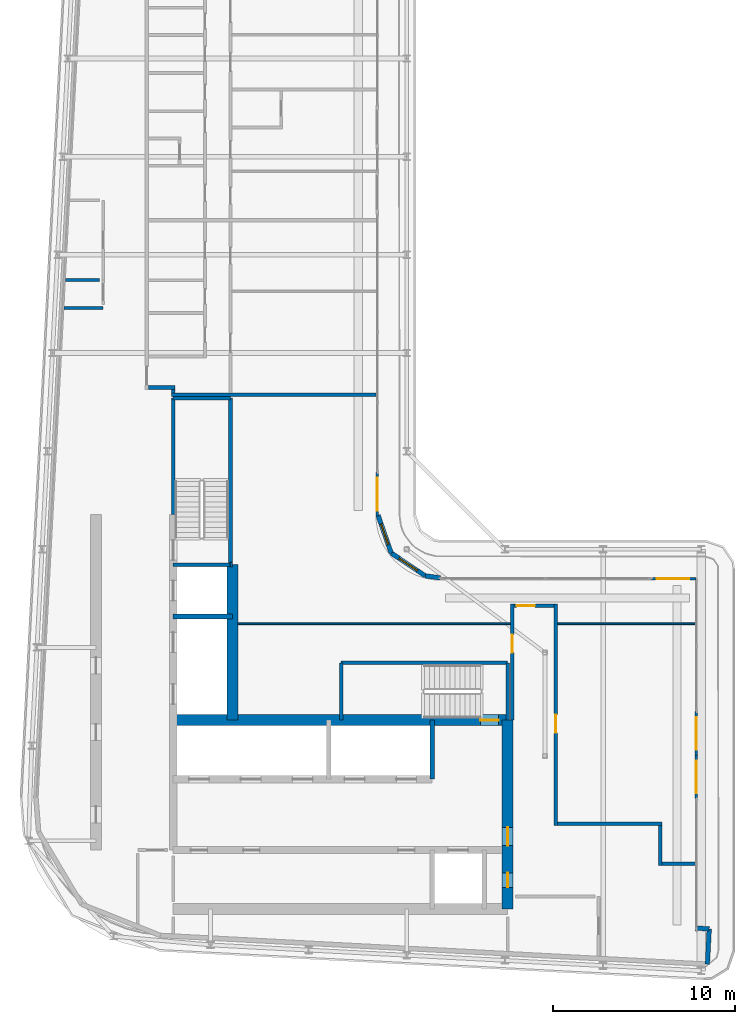
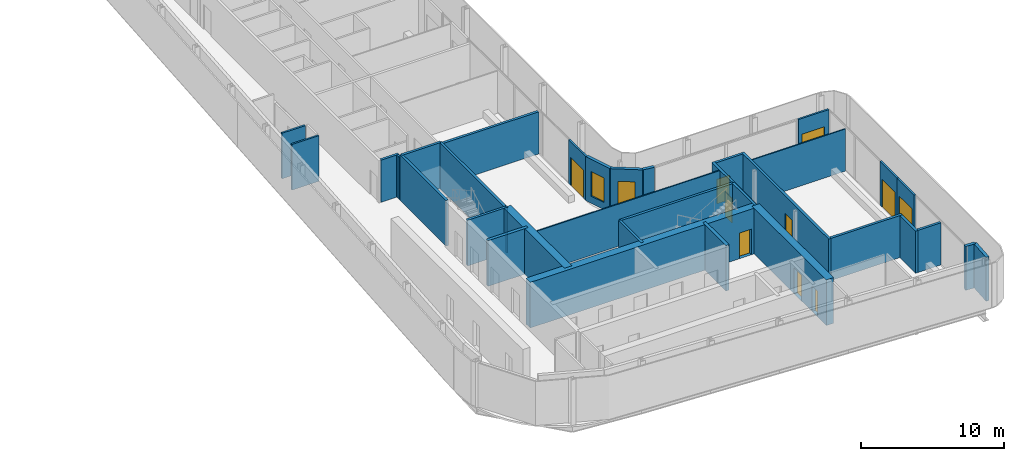
# One storey, part 12 of 21: 35 walls, 10 doors, 2 windows, 12 openings.
"""IFC4 building model written with IfcOpenShell, lengths in metres."""

from ifc_helpers import new_model, si_unit, direction, frame, frame_2d, origin, place, context, subcontext, project, spatial, rectangle, extrude, source, transform, mapped, material, layer, layer_set, type_object, element, fill, save


model = new_model("IFC4")

# Units and contexts
model_context = context("Model", 3, precision=1e-05, world=origin(), true_north=direction((0.0, 1.0)))
body_context = subcontext(model_context, "Body", "Model", "MODEL_VIEW")
ifc_project = project(units=[si_unit("LENGTHUNIT", "METRE"), si_unit("AREAUNIT", "SQUARE_METRE"), si_unit("VOLUMEUNIT", "CUBIC_METRE"), si_unit("PLANEANGLEUNIT", "RADIAN"), si_unit("MASSUNIT", "GRAM", prefix="KILO")], contexts=[model_context])

# Site, building, storey
site_placement = place(None, origin())
site = spatial("IfcSite", under=ifc_project, at=site_placement, CompositionType="ELEMENT")
building_placement = place(site_placement, origin())
building = spatial("IfcBuilding", under=site, at=building_placement, Name="Kheshtan School and Residences Tower", CompositionType="ELEMENT")
storey_placement = place(building_placement, frame((0.0, 0.0, 278.60009765625)))
storey = spatial("IfcBuildingStorey", under=building, at=storey_placement, Name="L65", CompositionType="ELEMENT", Elevation=278.60009765625)

# Wall, opening, door
ifc_material_1 = material(Name="Concrete C60/75", Category="concrete")
ifc_layer_1 = layer(ifc_material_1, 0.60009765625)
ifc_layer_set_1 = layer_set([ifc_layer_1], Name="Core wall 600 Concrete C60/75")
wall_type_1 = type_object("IfcWallType", Name="Core wall 600 Concrete C60/75", PredefinedType="SHEAR", material=ifc_layer_set_1)
wall_1_placement = place(storey_placement, frame((34.75, 36.199951171875, 0.0), z_axis=(0.0, 0.0, 1.0), x_axis=(1.0, 0.0, 0.0)))
wall_1 = element("IfcWall", 1, at=wall_1_placement, inside=storey, type_object=wall_type_1, Name="Core wall CW-FRONT-S", PredefinedType="SHEAR", context=body_context, shape_type="SweptSolid", body=[
    extrude(rectangle(XDim=18.39990234375, YDim=0.60009765625, at=frame_2d((9.199951171875, 0.0))), origin(), (0.0, 0.0, 1.0), 3.89990234375),
])
opening_1_placement = place(wall_1_placement, frame((16.89990234375, 0.0, 0.0)))
opening_1 = element("IfcOpeningElement", 2, at=opening_1_placement, cuts=wall_1, Name="Opening ST1D", PredefinedType="OPENING", context=body_context, shape_type="SweptSolid", body=[
    extrude(rectangle(XDim=1.0, YDim=2.199951171875, at=frame_2d((0.5, 1.10009765625))), frame((0.0, 0.31005859375, 0.0), z_axis=(0.0, -1.0, 0.0), x_axis=(1.0, 0.0, 0.0)), (0.0, 0.0, 1.0), 0.6201171875),
])
ifc_material_2 = material(Name="Steel door leaf, galvanised", Category="steel")
door_type_1 = type_object("IfcDoorType", Name="Stair door 1100 steel 90 min", OperationType="SINGLE_SWING_LEFT", PredefinedType="DOOR", material=ifc_material_2)
shared_shape_1 = source(origin(), body_context, "Body", "SweptSolid", [
    extrude(rectangle(XDim=1.0, YDim=2.199951171875, at=frame_2d((0.5, 1.10009765625))), frame((0.0, 0.02490234375, 0.0), z_axis=(0.0, -1.0, 0.0), x_axis=(1.0, 0.0, 0.0)), (0.0, 0.0, 1.0), 0.050048828125),
])
door_1_placement = place(opening_1_placement, origin())
door_1 = element("IfcDoor", 3, at=door_1_placement, inside=storey, type_object=door_type_1, Name="Stair ST1 door", OperationType="SINGLE_SWING_RIGHT", OverallHeight=2.199951171875, OverallWidth=1.0, PredefinedType="DOOR", context=body_context, shape_type="MappedRepresentation", body=[
    mapped(shared_shape_1, transform((0.0, 0.0, 0.0), x_axis=(1.0, 0.0, 0.0), y_axis=(0.0, 1.0, 0.0), z_axis=(0.0, 0.0, 1.0), scale=1.0)),
])
fill(opening_1, door_1)

# Wall
wall_2_placement = place(storey_placement, frame((38.0, 36.199951171875, 0.0), z_axis=(0.0, 0.0, 1.0), x_axis=(0.0, 1.0, 0.0)))
element("IfcWall", 4, at=wall_2_placement, inside=storey, type_object=wall_type_1, Name="Core wall CW-FRONT-W", PredefinedType="SHEAR", context=body_context, shape_type="SweptSolid", body=[
    extrude(rectangle(XDim=8.550048828125, YDim=0.60009765625, at=frame_2d((4.27490234375, 0.0))), origin(), (0.0, 0.0, 1.0), 3.89990234375),
])

# Wall, openings, doors
wall_3_placement = place(storey_placement, frame((53.14990234375, 25.800048828125, 0.0), z_axis=(0.0, 0.0, 1.0), x_axis=(0.0, 1.0, 0.0)))
wall_3 = element("IfcWall", 5, at=wall_3_placement, inside=storey, type_object=wall_type_1, Name="Core wall CW-EAST", PredefinedType="SHEAR", context=body_context, shape_type="SweptSolid", body=[
    extrude(rectangle(XDim=10.39990234375, YDim=0.60009765625, at=frame_2d((5.199951171875, 0.0))), origin(), (0.0, 0.0, 1.0), 3.89990234375),
])
opening_2_placement = place(wall_3_placement, frame((1.197021484375, 0.0, 0.0)))
opening_2 = element("IfcOpeningElement", 6, at=opening_2_placement, cuts=wall_3, Name="Opening SR80", PredefinedType="OPENING", context=body_context, shape_type="SweptSolid", body=[
    extrude(rectangle(XDim=0.800048828125, YDim=2.199951171875, at=frame_2d((0.39990234375, 1.10009765625))), frame((0.0, 0.31005859375, 0.0), z_axis=(0.0, -1.0, 0.0), x_axis=(1.0, 0.0, 0.0)), (0.0, 0.0, 1.0), 0.6201171875),
])
opening_3_placement = place(wall_3_placement, frame((3.5, 0.0, 0.0)))
opening_3 = element("IfcOpeningElement", 7, at=opening_3_placement, cuts=wall_3, Name="Opening SD91", PredefinedType="OPENING", context=body_context, shape_type="SweptSolid", body=[
    extrude(rectangle(XDim=1.0, YDim=2.199951171875, at=frame_2d((0.5, 1.10009765625))), frame((0.0, 0.31005859375, 0.0), z_axis=(0.0, -1.0, 0.0), x_axis=(1.0, 0.0, 0.0)), (0.0, 0.0, 1.0), 0.6201171875),
])
door_type_2 = type_object("IfcDoorType", Name="Service room door 800 steel 90 min", OperationType="SINGLE_SWING_LEFT", PredefinedType="DOOR", material=ifc_material_2)
shared_shape_2 = source(origin(), body_context, "Body", "SweptSolid", [
    extrude(rectangle(XDim=0.800048828125, YDim=2.199951171875, at=frame_2d((0.39990234375, 1.10009765625))), frame((0.0, 0.02490234375, 0.0), z_axis=(0.0, -1.0, 0.0), x_axis=(1.0, 0.0, 0.0)), (0.0, 0.0, 1.0), 0.050048828125),
])
door_2_placement = place(opening_2_placement, origin())
door_2 = element("IfcDoor", 8, at=door_2_placement, inside=storey, type_object=door_type_2, Name="Service room door", OperationType="SINGLE_SWING_LEFT", OverallHeight=2.199951171875, OverallWidth=0.800048828125, PredefinedType="DOOR", context=body_context, shape_type="MappedRepresentation", body=[
    mapped(shared_shape_2, transform((0.0, 0.0, 0.0), x_axis=(1.0, 0.0, 0.0), y_axis=(0.0, 1.0, 0.0), z_axis=(0.0, 0.0, 1.0), scale=1.0)),
])
fill(opening_2, door_2)
door_type_3 = type_object("IfcDoorType", Name="Firefighting lobby door 1000 steel 90 min", OperationType="SINGLE_SWING_LEFT", PredefinedType="DOOR", material=ifc_material_2)
shared_shape_3 = source(origin(), body_context, "Body", "SweptSolid", [
    extrude(rectangle(XDim=1.0, YDim=2.199951171875, at=frame_2d((0.5, 1.10009765625))), frame((0.0, 0.02490234375, 0.0), z_axis=(0.0, -1.0, 0.0), x_axis=(1.0, 0.0, 0.0)), (0.0, 0.0, 1.0), 0.050048828125),
])
door_3_placement = place(opening_3_placement, origin())
door_3 = element("IfcDoor", 9, at=door_3_placement, inside=storey, type_object=door_type_3, Name="Firefighting lobby door", OperationType="SINGLE_SWING_LEFT", OverallHeight=2.199951171875, OverallWidth=1.0, PredefinedType="DOOR", context=body_context, shape_type="MappedRepresentation", body=[
    mapped(shared_shape_3, transform((0.0, 0.0, 0.0), x_axis=(1.0, 0.0, 0.0), y_axis=(0.0, 1.0, 0.0), z_axis=(0.0, 0.0, 1.0), scale=1.0)),
])
fill(opening_3, door_3)

# Walls
ifc_material_3 = material(Name="Gypsum board on steel studs with fire boards", Category="steel")
ifc_layer_2 = layer(ifc_material_3, 0.199951171875)
ifc_layer_set_2 = layer_set([ifc_layer_2], Name="Corridor wall 200")
wall_type_2 = type_object("IfcWallType", Name="Corridor wall 200", PredefinedType="PARTITIONING", material=ifc_layer_set_2)
wall_4_placement = place(storey_placement, frame((33.39990234375, 54.5, 0.0), z_axis=(0.0, 0.0, 1.0), x_axis=(1.0, 0.0, 0.0)))
element("IfcWall", 10, at=wall_4_placement, inside=storey, type_object=wall_type_2, Name="Partition L65-005", PredefinedType="PARTITIONING", context=body_context, shape_type="SweptSolid", body=[
    extrude(rectangle(XDim=1.4501953125, YDim=0.199951171875, at=frame_2d((0.72509765625, 0.0))), origin(), (0.0, 0.0, 1.0), 3.599853515625),
])
wall_5_placement = place(storey_placement, frame((34.75, 54.199951171875, 0.0), z_axis=(0.0, 0.0, 1.0), x_axis=(0.0, 1.0, 0.0)))
element("IfcWall", 11, at=wall_5_placement, inside=storey, type_object=wall_type_2, Name="Partition L65-021", PredefinedType="PARTITIONING", context=body_context, shape_type="SweptSolid", body=[
    extrude(rectangle(XDim=0.199951171875, YDim=0.199951171875, at=frame_2d((0.10009765625, 0.0))), origin(), (0.0, 0.0, 1.0), 3.599853515625),
])

# Wall, opening, door
wall_6_placement = place(storey_placement, frame((53.39990234375, 36.198974609375, 0.0), z_axis=(0.0, 0.0, 1.0), x_axis=(0.0, 1.0, 0.0)))
wall_6 = element("IfcWall", 12, at=wall_6_placement, inside=storey, type_object=wall_type_2, Name="Partition L65-043", PredefinedType="PARTITIONING", context=body_context, shape_type="SweptSolid", body=[
    extrude(rectangle(XDim=6.401123046875, YDim=0.199951171875, at=frame_2d((3.20068359375, 0.0))), origin(), (0.0, 0.0, 1.0), 3.599853515625),
])
opening_4_placement = place(wall_6_placement, frame((3.708984375, 0.0, 0.0)))
opening_4 = element("IfcOpeningElement", 13, at=opening_4_placement, cuts=wall_6, Name="Opening D64-032", PredefinedType="OPENING", context=body_context, shape_type="SweptSolid", body=[
    extrude(rectangle(XDim=1.0, YDim=2.10009765625, at=frame_2d((0.5, 1.050048828125))), frame((0.0, 0.10986328125, 0.0), z_axis=(0.0, -1.0, 0.0), x_axis=(1.0, 0.0, 0.0)), (0.0, 0.0, 1.0), 0.219970703125),
])
ifc_material_4 = material(Name="Steel-framed fire-resisting door leaf", Category="steel")
door_type_4 = type_object("IfcDoorType", Name="Fire door FD60 1000 x 2100", OperationType="SINGLE_SWING_LEFT", PredefinedType="DOOR", material=ifc_material_4)
shared_shape_4 = source(origin(), body_context, "Body", "SweptSolid", [
    extrude(rectangle(XDim=1.0, YDim=2.10009765625, at=frame_2d((0.5, 1.050048828125))), frame((0.0, 0.02490234375, 0.0), z_axis=(0.0, -1.0, 0.0), x_axis=(1.0, 0.0, 0.0)), (0.0, 0.0, 1.0), 0.050048828125),
])
door_4_placement = place(opening_4_placement, origin())
door_4 = element("IfcDoor", 14, at=door_4_placement, inside=storey, type_object=door_type_4, Name="Door D64-032", OperationType="SINGLE_SWING_LEFT", OverallHeight=2.10009765625, OverallWidth=1.0, PredefinedType="DOOR", context=body_context, shape_type="MappedRepresentation", body=[
    mapped(shared_shape_4, transform((0.0, 0.0, 0.0), x_axis=(1.0, 0.0, 0.0), y_axis=(0.0, 1.0, 0.0), z_axis=(0.0, 0.0, 1.0), scale=1.0)),
])
fill(opening_4, door_4)

wall_7_placement = place(storey_placement, frame((53.5, 42.5, 0.0), z_axis=(0.0, 0.0, 1.0), x_axis=(1.0, 0.0, 0.0)))
wall_7 = element("IfcWall", 15, at=wall_7_placement, inside=storey, type_object=wall_type_2, Name="Partition L65-044", PredefinedType="PARTITIONING", context=body_context, shape_type="SweptSolid", body=[
    extrude(rectangle(XDim=2.199951171875, YDim=0.199951171875, at=frame_2d((1.10009765625, 0.0))), origin(), (0.0, 0.0, 1.0), 3.599853515625),
])
opening_5_placement = place(wall_7_placement, frame((0.14990234375, 0.0, 0.0)))
opening_5 = element("IfcOpeningElement", 16, at=opening_5_placement, cuts=wall_7, Name="Opening D64-033", PredefinedType="OPENING", context=body_context, shape_type="SweptSolid", body=[
    extrude(rectangle(XDim=1.0, YDim=2.10009765625, at=frame_2d((0.5, 1.050048828125))), frame((0.0, 0.10986328125, 0.0), z_axis=(0.0, -1.0, 0.0), x_axis=(1.0, 0.0, 0.0)), (0.0, 0.0, 1.0), 0.219970703125),
])
door_5_placement = place(opening_5_placement, origin())
door_5 = element("IfcDoor", 17, at=door_5_placement, inside=storey, type_object=door_type_4, Name="Door D64-033", OperationType="SINGLE_SWING_RIGHT", OverallHeight=2.10009765625, OverallWidth=1.0, PredefinedType="DOOR", context=body_context, shape_type="MappedRepresentation", body=[
    mapped(shared_shape_4, transform((0.0, 0.0, 0.0), x_axis=(1.0, 0.0, 0.0), y_axis=(0.0, 1.0, 0.0), z_axis=(0.0, 0.0, 1.0), scale=1.0)),
])
fill(opening_5, door_5)

wall_8_placement = place(storey_placement, frame((55.800048828125, 30.39990234375, 0.0), z_axis=(0.0, 0.0, 1.0), x_axis=(0.0, 1.0, 0.0)))
wall_8 = element("IfcWall", 18, at=wall_8_placement, inside=storey, type_object=wall_type_2, Name="Partition L65-045", PredefinedType="PARTITIONING", context=body_context, shape_type="SweptSolid", body=[
    extrude(rectangle(XDim=12.2001953125, YDim=0.199951171875, at=frame_2d((6.10009765625, 0.0))), origin(), (0.0, 0.0, 1.0), 3.599853515625),
])
opening_6_placement = place(wall_8_placement, frame((5.10009765625, 0.0, 0.0)))
opening_6 = element("IfcOpeningElement", 19, at=opening_6_placement, cuts=wall_8, Name="Opening D64-031", PredefinedType="OPENING", context=body_context, shape_type="SweptSolid", body=[
    extrude(rectangle(XDim=1.0, YDim=2.10009765625, at=frame_2d((0.5, 1.050048828125))), frame((0.0, 0.10986328125, 0.0), z_axis=(0.0, -1.0, 0.0), x_axis=(1.0, 0.0, 0.0)), (0.0, 0.0, 1.0), 0.219970703125),
])
door_6_placement = place(opening_6_placement, origin())
door_6 = element("IfcDoor", 20, at=door_6_placement, inside=storey, type_object=door_type_4, Name="Door D64-031", OperationType="SINGLE_SWING_RIGHT", OverallHeight=2.10009765625, OverallWidth=1.0, PredefinedType="DOOR", context=body_context, shape_type="MappedRepresentation", body=[
    mapped(shared_shape_4, transform((0.0, 0.0, 0.0), x_axis=(1.0, 0.0, 0.0), y_axis=(0.0, 1.0, 0.0), z_axis=(0.0, 0.0, 1.0), scale=1.0)),
])
fill(opening_6, door_6)

# Walls
wall_9_placement = place(storey_placement, frame((55.89990234375, 30.5, 0.0), z_axis=(0.0, 0.0, 1.0), x_axis=(1.0, 0.0, 0.0)))
element("IfcWall", 21, at=wall_9_placement, inside=storey, type_object=wall_type_2, Name="Partition L65-046", PredefinedType="PARTITIONING", context=body_context, shape_type="SweptSolid", body=[
    extrude(rectangle(XDim=5.75, YDim=0.199951171875, at=frame_2d((2.875, 0.0))), origin(), (0.0, 0.0, 1.0), 3.599853515625),
])
wall_10_placement = place(storey_placement, frame((61.550048828125, 28.199951171875, 0.0), z_axis=(0.0, 0.0, 1.0), x_axis=(0.0, 1.0, 0.0)))
element("IfcWall", 22, at=wall_10_placement, inside=storey, type_object=wall_type_2, Name="Partition L65-048", PredefinedType="PARTITIONING", context=body_context, shape_type="SweptSolid", body=[
    extrude(rectangle(XDim=2.199951171875, YDim=0.199951171875, at=frame_2d((1.10009765625, 0.0))), origin(), (0.0, 0.0, 1.0), 3.599853515625),
])
wall_11_placement = place(storey_placement, frame((61.64990234375, 28.300048828125, 0.0), z_axis=(0.0, 0.0, 1.0), x_axis=(1.0, 0.0, 0.0)))
element("IfcWall", 23, at=wall_11_placement, inside=storey, type_object=wall_type_2, Name="Partition L65-049", PredefinedType="PARTITIONING", context=body_context, shape_type="SweptSolid", body=[
    extrude(rectangle(XDim=1.8701171875, YDim=0.199951171875, at=frame_2d((0.93505859375, 0.0))), origin(), (0.0, 0.0, 1.0), 3.599853515625),
])

# Wall, opening, window
ifc_material_5 = material(Name="Concrete C40/50 with ceramic cladding and mineral wool insulation", Category="concrete")
ifc_layer_3 = layer(ifc_material_5, 0.25)
ifc_layer_set_3 = layer_set([ifc_layer_3], Name="External wall 250 ceramic clad")
wall_type_3 = type_object("IfcWallType", Name="External wall 250 ceramic clad", PredefinedType="SOLIDWALL", material=ifc_layer_set_3)
wall_12_placement = place(storey_placement, frame((46.01806640625, 47.470947265625, 0.0), z_axis=(0.0, 0.0, 1.0), x_axis=(0.328791208903, -0.944402637093, 0.0)))
wall_12 = element("IfcWall", 24, at=wall_12_placement, inside=storey, type_object=wall_type_3, Name="External wall L65 9", PredefinedType="SOLIDWALL", context=body_context, shape_type="SweptSolid", body=[
    extrude(rectangle(XDim=2.20458984375, YDim=0.25, at=frame_2d((1.102294921875, 0.0))), origin(), (0.0, 0.0, 1.0), 3.75),
])
opening_7_placement = place(wall_12_placement, frame((0.5029296875, 0.0, 0.60009765625)))
opening_7 = element("IfcOpeningElement", 25, at=opening_7_placement, cuts=wall_12, Name="Opening WN-E", PredefinedType="OPENING", context=body_context, shape_type="SweptSolid", body=[
    extrude(rectangle(XDim=1.199951171875, YDim=2.10009765625, at=frame_2d((0.60009765625, 1.050048828125))), frame((0.0, 0.135009765625, 0.0), z_axis=(0.0, -1.0, 0.0), x_axis=(1.0, 0.0, 0.0)), (0.0, 0.0, 1.0), 0.27001953125),
])
ifc_material_6 = material(Name="Clear low-e glass in thermally broken aluminium frame", Category="aluminium")
window_type = type_object("IfcWindowType", Name="Window WN-E", PartitioningType="SINGLE_PANEL", PredefinedType="WINDOW", material=ifc_material_6)
shared_shape_5 = source(origin(), body_context, "Body", "SweptSolid", [
    extrude(rectangle(XDim=1.199951171875, YDim=2.10009765625, at=frame_2d((0.60009765625, 1.050048828125))), frame((0.0, 0.030029296875, 0.0), z_axis=(0.0, -1.0, 0.0), x_axis=(1.0, 0.0, 0.0)), (0.0, 0.0, 1.0), 0.06005859375),
])
window_1_placement = place(opening_7_placement, origin())
window_1 = element("IfcWindow", 26, at=window_1_placement, inside=storey, type_object=window_type, Name="Window L65 9", OverallHeight=2.10009765625, OverallWidth=1.199951171875, PartitioningType="SINGLE_PANEL", PredefinedType="WINDOW", context=body_context, shape_type="MappedRepresentation", body=[
    mapped(shared_shape_5, transform((0.0, 0.0, 0.0), x_axis=(1.0, 0.0, 0.0), y_axis=(0.0, 1.0, 0.0), z_axis=(0.0, 0.0, 1.0), scale=1.0)),
])
fill(opening_7, window_1)

wall_13_placement = place(storey_placement, frame((46.742919921875, 45.388916015625, 0.0), z_axis=(0.0, 0.0, 1.0), x_axis=(0.831449265529, -0.555600682912, 0.0)))
wall_13 = element("IfcWall", 27, at=wall_13_placement, inside=storey, type_object=wall_type_3, Name="External wall L65 10", PredefinedType="SOLIDWALL", context=body_context, shape_type="SweptSolid", body=[
    extrude(rectangle(XDim=2.25146484375, YDim=0.25, at=frame_2d((1.125732421875, 0.0))), origin(), (0.0, 0.0, 1.0), 3.75),
])
opening_8_placement = place(wall_13_placement, frame((0.52490234375, 0.0, 0.60009765625)))
opening_8 = element("IfcOpeningElement", 28, at=opening_8_placement, cuts=wall_13, Name="Opening WN-E", PredefinedType="OPENING", context=body_context, shape_type="SweptSolid", body=[
    extrude(rectangle(XDim=1.199951171875, YDim=2.10009765625, at=frame_2d((0.60009765625, 1.050048828125))), frame((0.0, 0.135009765625, 0.0), z_axis=(0.0, -1.0, 0.0), x_axis=(1.0, 0.0, 0.0)), (0.0, 0.0, 1.0), 0.27001953125),
])
window_2_placement = place(opening_8_placement, origin())
window_2 = element("IfcWindow", 29, at=window_2_placement, inside=storey, type_object=window_type, Name="Window L65 10", OverallHeight=2.10009765625, OverallWidth=1.199951171875, PartitioningType="SINGLE_PANEL", PredefinedType="WINDOW", context=body_context, shape_type="MappedRepresentation", body=[
    mapped(shared_shape_5, transform((0.0, 0.0, 0.0), x_axis=(1.0, 0.0, 0.0), y_axis=(0.0, 1.0, 0.0), z_axis=(0.0, 0.0, 1.0), scale=1.0)),
])
fill(opening_8, window_2)

# Walls
wall_14_placement = place(storey_placement, frame((48.614990234375, 44.137939453125, 0.0), z_axis=(0.0, 0.0, 1.0), x_axis=(0.990741504246, -0.135761819977, 0.0)))
element("IfcWall", 30, at=wall_14_placement, inside=storey, type_object=wall_type_3, Name="External wall L65 11", PredefinedType="SOLIDWALL", context=body_context, shape_type="SweptSolid", body=[
    extrude(rectangle(XDim=0.83984375, YDim=0.25, at=frame_2d((0.419921875, 0.0))), origin(), (0.0, 0.0, 1.0), 3.75),
])
wall_15_placement = place(storey_placement, frame((63.45703125, 24.758056640625, 0.0), z_axis=(0.0, 0.0, 1.0), x_axis=(0.998561284263, -0.053622398031, 0.0)))
element("IfcWall", 31, at=wall_15_placement, inside=storey, type_object=wall_type_3, Name="External wall L65 14", PredefinedType="SOLIDWALL", context=body_context, shape_type="SweptSolid", body=[
    extrude(rectangle(XDim=0.783203125, YDim=0.25, at=frame_2d((0.3916015625, 0.0))), origin(), (0.0, 0.0, 1.0), 3.75),
])
wall_16_placement = place(storey_placement, frame((64.239013671875, 24.716064453125, 0.0), z_axis=(0.0, 0.0, 1.0), x_axis=(-0.052841433274, -0.998602915542, 0.0)))
element("IfcWall", 32, at=wall_16_placement, inside=storey, type_object=wall_type_3, Name="External wall L65 15", PredefinedType="SOLIDWALL", context=body_context, shape_type="SweptSolid", body=[
    extrude(rectangle(XDim=1.94970703125, YDim=0.25, at=frame_2d((0.974853515625, 0.0))), origin(), (0.0, 0.0, 1.0), 3.75),
])

# Wall, opening, door
ifc_material_7 = material(Name="Aluminium frame wall with insulated infill", Category="aluminium")
ifc_layer_4 = layer(ifc_material_7, 0.14990234375)
ifc_layer_set_4 = layer_set([ifc_layer_4], Name="Glazing frame wall 150")
wall_type_4 = type_object("IfcWallType", Name="Glazing frame wall 150", PredefinedType="SOLIDWALL", material=ifc_layer_set_4)
wall_17_placement = place(storey_placement, frame((45.97509765625, 49.830078125, 0.0), z_axis=(0.0, 0.0, 1.0), x_axis=(0.0, -1.0, 0.0)))
wall_17 = element("IfcWall", 33, at=wall_17_placement, inside=storey, type_object=wall_type_4, Name="Balcony door wall L65 8.5", PredefinedType="SOLIDWALL", context=body_context, shape_type="SweptSolid", body=[
    extrude(rectangle(XDim=2.400146484375, YDim=0.14990234375, at=frame_2d((1.2001953125, 0.0))), origin(), (0.0, 0.0, 1.0), 3.75),
])
opening_9_placement = place(wall_17_placement, frame((0.300048828125, 0.0, 0.0)))
opening_9 = element("IfcOpeningElement", 34, at=opening_9_placement, cuts=wall_17, Name="Opening BD", PredefinedType="OPENING", context=body_context, shape_type="SweptSolid", body=[
    extrude(rectangle(XDim=1.800048828125, YDim=2.39990234375, at=frame_2d((0.89990234375, 1.199951171875))), frame((0.0, 0.0849609375, 0.0), z_axis=(0.0, -1.0, 0.0), x_axis=(1.0, 0.0, 0.0)), (0.0, 0.0, 1.0), 0.169921875),
])
door_type_5 = type_object("IfcDoorType", Name="Balcony sliding door", OperationType="SLIDING_TO_LEFT", PredefinedType="DOOR", material=ifc_material_6)
shared_shape_6 = source(origin(), body_context, "Body", "SweptSolid", [
    extrude(rectangle(XDim=1.800048828125, YDim=2.39990234375, at=frame_2d((0.89990234375, 1.199951171875))), frame((0.0, 0.02490234375, 0.0), z_axis=(0.0, -1.0, 0.0), x_axis=(1.0, 0.0, 0.0)), (0.0, 0.0, 1.0), 0.050048828125),
])
door_7_placement = place(opening_9_placement, origin())
door_7 = element("IfcDoor", 35, at=door_7_placement, inside=storey, type_object=door_type_5, Name="Balcony door L65 8.5", OperationType="SLIDING_TO_LEFT", OverallHeight=2.39990234375, OverallWidth=1.800048828125, PredefinedType="DOOR", context=body_context, shape_type="MappedRepresentation", body=[
    mapped(shared_shape_6, transform((0.0, 0.0, 0.0), x_axis=(1.0, 0.0, 0.0), y_axis=(0.0, 1.0, 0.0), z_axis=(0.0, 0.0, 1.0), scale=1.0)),
])
fill(opening_9, door_7)

wall_18_placement = place(storey_placement, frame((61.050048828125, 43.97509765625, 0.0), z_axis=(0.0, 0.0, 1.0), x_axis=(1.0, 0.0, 0.0)))
wall_18 = element("IfcWall", 36, at=wall_18_placement, inside=storey, type_object=wall_type_4, Name="Balcony door wall L65 12.1", PredefinedType="SOLIDWALL", context=body_context, shape_type="SweptSolid", body=[
    extrude(rectangle(XDim=2.469970703125, YDim=0.14990234375, at=frame_2d((1.23486328125, 0.0))), origin(), (0.0, 0.0, 1.0), 3.75),
])
opening_10_placement = place(wall_18_placement, frame((0.300048828125, 0.0, 0.0)))
opening_10 = element("IfcOpeningElement", 37, at=opening_10_placement, cuts=wall_18, Name="Opening BD", PredefinedType="OPENING", context=body_context, shape_type="SweptSolid", body=[
    extrude(rectangle(XDim=1.800048828125, YDim=2.39990234375, at=frame_2d((0.89990234375, 1.199951171875))), frame((0.0, 0.0849609375, 0.0), z_axis=(0.0, -1.0, 0.0), x_axis=(1.0, 0.0, 0.0)), (0.0, 0.0, 1.0), 0.169921875),
])
door_8_placement = place(opening_10_placement, origin())
door_8 = element("IfcDoor", 38, at=door_8_placement, inside=storey, type_object=door_type_5, Name="Balcony door L65 12.1", OperationType="SLIDING_TO_LEFT", OverallHeight=2.39990234375, OverallWidth=1.800048828125, PredefinedType="DOOR", context=body_context, shape_type="MappedRepresentation", body=[
    mapped(shared_shape_6, transform((0.0, 0.0, 0.0), x_axis=(1.0, 0.0, 0.0), y_axis=(0.0, 1.0, 0.0), z_axis=(0.0, 0.0, 1.0), scale=1.0)),
])
fill(opening_10, door_8)

wall_19_placement = place(storey_placement, frame((63.52490234375, 36.666015625, 0.0), z_axis=(0.0, 0.0, 1.0), x_axis=(0.0, -1.0, 0.0)))
wall_19 = element("IfcWall", 39, at=wall_19_placement, inside=storey, type_object=wall_type_4, Name="Balcony door wall L65 13.1", PredefinedType="SOLIDWALL", context=body_context, shape_type="SweptSolid", body=[
    extrude(rectangle(XDim=2.39892578125, YDim=0.14990234375, at=frame_2d((1.199462890625, 0.0))), origin(), (0.0, 0.0, 1.0), 3.75),
])
opening_11_placement = place(wall_19_placement, frame((0.300048828125, 0.0, 0.0)))
opening_11 = element("IfcOpeningElement", 40, at=opening_11_placement, cuts=wall_19, Name="Opening BD", PredefinedType="OPENING", context=body_context, shape_type="SweptSolid", body=[
    extrude(rectangle(XDim=1.800048828125, YDim=2.39990234375, at=frame_2d((0.89990234375, 1.199951171875))), frame((0.0, 0.0849609375, 0.0), z_axis=(0.0, -1.0, 0.0), x_axis=(1.0, 0.0, 0.0)), (0.0, 0.0, 1.0), 0.169921875),
])
door_9_placement = place(opening_11_placement, origin())
door_9 = element("IfcDoor", 41, at=door_9_placement, inside=storey, type_object=door_type_5, Name="Balcony door L65 13.1", OperationType="SLIDING_TO_LEFT", OverallHeight=2.39990234375, OverallWidth=1.800048828125, PredefinedType="DOOR", context=body_context, shape_type="MappedRepresentation", body=[
    mapped(shared_shape_6, transform((0.0, 0.0, 0.0), x_axis=(1.0, 0.0, 0.0), y_axis=(0.0, 1.0, 0.0), z_axis=(0.0, 0.0, 1.0), scale=1.0)),
])
fill(opening_11, door_9)

wall_20_placement = place(storey_placement, frame((63.52490234375, 34.26708984375, 0.0), z_axis=(0.0, 0.0, 1.0), x_axis=(0.0, -1.0, 0.0)))
wall_20 = element("IfcWall", 42, at=wall_20_placement, inside=storey, type_object=wall_type_4, Name="Balcony door wall L65 13.2", PredefinedType="SOLIDWALL", context=body_context, shape_type="SweptSolid", body=[
    extrude(rectangle(XDim=2.401123046875, YDim=0.14990234375, at=frame_2d((1.20068359375, 0.0))), origin(), (0.0, 0.0, 1.0), 3.75),
])
opening_12_placement = place(wall_20_placement, frame((0.300048828125, 0.0, 0.0)))
opening_12 = element("IfcOpeningElement", 43, at=opening_12_placement, cuts=wall_20, Name="Opening BD", PredefinedType="OPENING", context=body_context, shape_type="SweptSolid", body=[
    extrude(rectangle(XDim=1.800048828125, YDim=2.39990234375, at=frame_2d((0.89990234375, 1.199951171875))), frame((0.0, 0.0849609375, 0.0), z_axis=(0.0, -1.0, 0.0), x_axis=(1.0, 0.0, 0.0)), (0.0, 0.0, 1.0), 0.169921875),
])
door_10_placement = place(opening_12_placement, origin())
door_10 = element("IfcDoor", 44, at=door_10_placement, inside=storey, type_object=door_type_5, Name="Balcony door L65 13.2", OperationType="SLIDING_TO_LEFT", OverallHeight=2.39990234375, OverallWidth=1.800048828125, PredefinedType="DOOR", context=body_context, shape_type="MappedRepresentation", body=[
    mapped(shared_shape_6, transform((0.0, 0.0, 0.0), x_axis=(1.0, 0.0, 0.0), y_axis=(0.0, 1.0, 0.0), z_axis=(0.0, 0.0, 1.0), scale=1.0)),
])
fill(opening_12, door_10)

# Walls
ifc_material_8 = material(Name="Gypsum board on steel studs", Category="steel")
ifc_layer_5 = layer(ifc_material_8, 0.10009765625)
ifc_layer_set_5 = layer_set([ifc_layer_5], Name="Gypsum partition 100")
wall_type_5 = type_object("IfcWallType", Name="Gypsum partition 100", PredefinedType="PARTITIONING", material=ifc_layer_set_5)
wall_21_placement = place(storey_placement, frame((38.299072265625, 41.5, 0.0), z_axis=(0.0, 0.0, 1.0), x_axis=(1.0, 0.0, 0.0)))
element("IfcWall", 45, at=wall_21_placement, inside=storey, type_object=wall_type_5, Name="Partition L65-041", PredefinedType="PARTITIONING", context=body_context, shape_type="SweptSolid", body=[
    extrude(rectangle(XDim=15.0009765625, YDim=0.10009765625, at=frame_2d((7.50048828125, 0.0))), origin(), (0.0, 0.0, 1.0), 3.599853515625),
])
wall_22_placement = place(storey_placement, frame((55.89990234375, 41.5, 0.0), z_axis=(0.0, 0.0, 1.0), x_axis=(1.0, 0.0, 0.0)))
element("IfcWall", 46, at=wall_22_placement, inside=storey, type_object=wall_type_5, Name="Partition L65-047", PredefinedType="PARTITIONING", context=body_context, shape_type="SweptSolid", body=[
    extrude(rectangle(XDim=7.550048828125, YDim=0.10009765625, at=frame_2d((3.77490234375, 0.0))), origin(), (0.0, 0.0, 1.0), 3.599853515625),
])
ifc_material_9 = material(Name="Fire-board shaft wall system")
ifc_layer_6 = layer(ifc_material_9, 0.14990234375)
ifc_layer_set_6 = layer_set([ifc_layer_6], Name="Service room wall 150")
wall_type_6 = type_object("IfcWallType", Name="Service room wall 150", PredefinedType="PARTITIONING", material=ifc_layer_set_6)
wall_23_placement = place(storey_placement, frame((28.738037109375, 58.8720703125, 0.0), z_axis=(0.0, 0.0, 1.0), x_axis=(1.0, 0.0, 0.0)))
element("IfcWall", 47, at=wall_23_placement, inside=storey, type_object=wall_type_6, Name="Service room wall", PredefinedType="PARTITIONING", context=body_context, shape_type="SweptSolid", body=[
    extrude(rectangle(XDim=2.161865234375, YDim=0.14990234375, at=frame_2d((1.0810546875, 0.0))), origin(), (0.0, 0.0, 1.0), 3.89990234375),
])
wall_24_placement = place(storey_placement, frame((28.820068359375, 60.4140625, 0.0), z_axis=(0.0, 0.0, 1.0), x_axis=(1.0, 0.0, 0.0)))
element("IfcWall", 48, at=wall_24_placement, inside=storey, type_object=wall_type_6, Name="Service room wall", PredefinedType="PARTITIONING", context=body_context, shape_type="SweptSolid", body=[
    extrude(rectangle(XDim=1.885009765625, YDim=0.14990234375, at=frame_2d((0.9423828125, 0.0))), origin(), (0.0, 0.0, 1.0), 3.89990234375),
])
ifc_layer_7 = layer(ifc_material_9, 0.25)
ifc_layer_set_7 = layer_set([ifc_layer_7], Name="Shaft lining wall 250")
wall_type_7 = type_object("IfcWallType", Name="Shaft lining wall 250", PredefinedType="PARTITIONING", material=ifc_layer_set_7)
for number, where, z_axis, x_axis, name in (
    (49, (49.0, 32.949951171875, 0.0), (0.0, 0.0, 1.0), (0.0, 1.0, 0.0), "Shaft lining wall"),
    (50, (34.75, 41.89990234375, 0.0), (0.0, 0.0, 1.0), (1.0, 0.0, 0.0), "Shaft lining wall"),
):
    element("IfcWall", number, at=place(storey_placement, frame(where, z_axis=z_axis, x_axis=x_axis)), inside=storey, type_object=wall_type_7, Name=name, PredefinedType="PARTITIONING", context=body_context, shape_type="SweptSolid", body=[
        extrude(rectangle(XDim=3.25, YDim=0.25, at=frame_2d((1.625, 0.0))), origin(), (0.0, 0.0, 1.0), 3.89990234375),
    ])
wall_25_placement = place(storey_placement, frame((37.89990234375, 44.75, 0.0), z_axis=(0.0, 0.0, 1.0), x_axis=(1.0, 0.0, 0.0)))
element("IfcWall", 51, at=wall_25_placement, inside=storey, type_object=wall_type_7, Name="Shaft lining wall", PredefinedType="PARTITIONING", context=body_context, shape_type="SweptSolid", body=[
    extrude(rectangle(XDim=0.10009765625, YDim=0.25, at=frame_2d((0.050048828125, 0.0))), origin(), (0.0, 0.0, 1.0), 3.89990234375),
])
ifc_material_10 = material(Name="Concrete C40/50", Category="concrete")
ifc_layer_8 = layer(ifc_material_10, 0.199951171875)
ifc_layer_set_8 = layer_set([ifc_layer_8], Name="Stair enclosure wall 200 Concrete C40/50")
wall_type_8 = type_object("IfcWallType", Name="Stair enclosure wall 200 Concrete C40/50", PredefinedType="SHEAR", material=ifc_layer_set_8)
wall_26_placement = place(storey_placement, frame((43.989990234375, 39.35009765625, 0.0), z_axis=(0.0, 0.0, 1.0), x_axis=(1.0, 0.0, 0.0)))
element("IfcWall", 52, at=wall_26_placement, inside=storey, type_object=wall_type_8, Name="Stair enclosure wall ST1", PredefinedType="SHEAR", context=body_context, shape_type="SweptSolid", body=[
    extrude(rectangle(XDim=9.159912109375, YDim=0.199951171875, at=frame_2d((4.580078125, 0.0))), origin(), (0.0, 0.0, 1.0), 3.89990234375),
])
for number, where, z_axis, x_axis, name in (
    (53, (43.989990234375, 36.199951171875, 0.0), (0.0, 0.0, 1.0), (0.0, 1.0, 0.0), "Stair enclosure wall ST1"),
    (54, (53.14990234375, 36.199951171875, 0.0), (0.0, 0.0, 1.0), (0.0, 1.0, 0.0), "Stair enclosure wall ST1"),
):
    element("IfcWall", number, at=place(storey_placement, frame(where, z_axis=z_axis, x_axis=x_axis)), inside=storey, type_object=wall_type_8, Name=name, PredefinedType="SHEAR", context=body_context, shape_type="SweptSolid", body=[
        extrude(rectangle(XDim=3.150146484375, YDim=0.199951171875, at=frame_2d((1.5751953125, 0.0))), origin(), (0.0, 0.0, 1.0), 3.89990234375),
    ])
for number, where, z_axis, x_axis, name in (
    (55, (34.75, 44.75, 0.0), (0.0, 0.0, 1.0), (1.0, 0.0, 0.0), "Stair enclosure wall ST2"),
    (56, (34.75, 53.909912109375, 0.0), (0.0, 0.0, 1.0), (1.0, 0.0, 0.0), "Stair enclosure wall ST2"),
):
    element("IfcWall", number, at=place(storey_placement, frame(where, z_axis=z_axis, x_axis=x_axis)), inside=storey, type_object=wall_type_8, Name=name, PredefinedType="SHEAR", context=body_context, shape_type="SweptSolid", body=[
        extrude(rectangle(XDim=3.14990234375, YDim=0.199951171875, at=frame_2d((1.574951171875, 0.0))), origin(), (0.0, 0.0, 1.0), 3.89990234375),
    ])
wall_27_placement = place(storey_placement, frame((34.75, 47.5, 0.0), z_axis=(0.0, 0.0, 1.0), x_axis=(0.0, 1.0, 0.0)))
element("IfcWall", 57, at=wall_27_placement, inside=storey, type_object=wall_type_8, Name="Stair enclosure wall ST2", PredefinedType="SHEAR", context=body_context, shape_type="SweptSolid", body=[
    extrude(rectangle(XDim=6.409912109375, YDim=0.199951171875, at=frame_2d((3.205078125, 0.0))), origin(), (0.0, 0.0, 1.0), 3.89990234375),
])
wall_28_placement = place(storey_placement, frame((37.89990234375, 44.75, 0.0), z_axis=(0.0, 0.0, 1.0), x_axis=(0.0, 1.0, 0.0)))
element("IfcWall", 58, at=wall_28_placement, inside=storey, type_object=wall_type_8, Name="Stair enclosure wall ST2", PredefinedType="SHEAR", context=body_context, shape_type="SweptSolid", body=[
    extrude(rectangle(XDim=9.159912109375, YDim=0.199951171875, at=frame_2d((4.580078125, 0.0))), origin(), (0.0, 0.0, 1.0), 3.89990234375),
])
ifc_material_11 = material(Name="Twin gypsum board on steel studs with mineral wool", Category="steel")
ifc_layer_9 = layer(ifc_material_11, 0.199951171875)
ifc_layer_set_9 = layer_set([ifc_layer_9], Name="Unit demising wall 200")
wall_type_9 = type_object("IfcWallType", Name="Unit demising wall 200", PredefinedType="PARTITIONING", material=ifc_layer_set_9)
wall_29_placement = place(storey_placement, frame((34.64990234375, 54.10009765625, 0.0), z_axis=(0.0, 0.0, 1.0), x_axis=(1.0, 0.0, 0.0)))
element("IfcWall", 59, at=wall_29_placement, inside=storey, type_object=wall_type_9, Name="Partition L65-020", PredefinedType="PARTITIONING", context=body_context, shape_type="SweptSolid", body=[
    extrude(rectangle(XDim=11.25, YDim=0.199951171875, at=frame_2d((5.625, 0.0))), origin(), (0.0, 0.0, 1.0), 3.599853515625),
])

save(model, "model.ifc")
